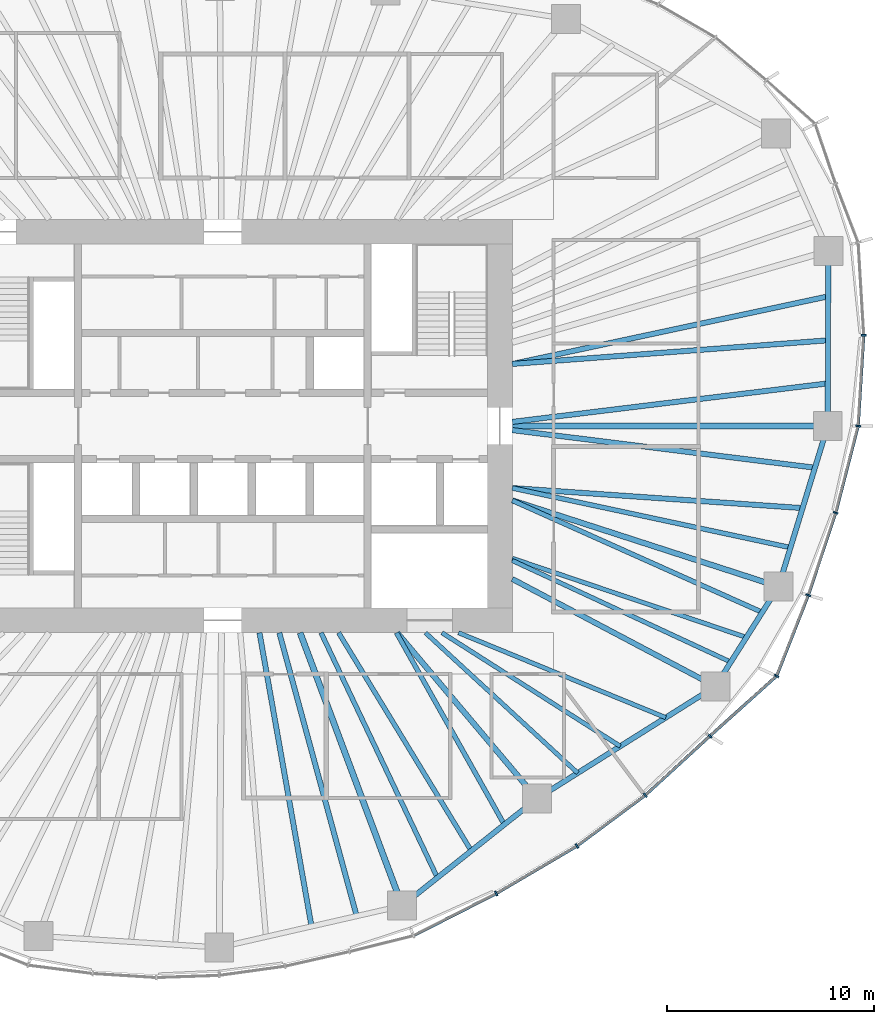
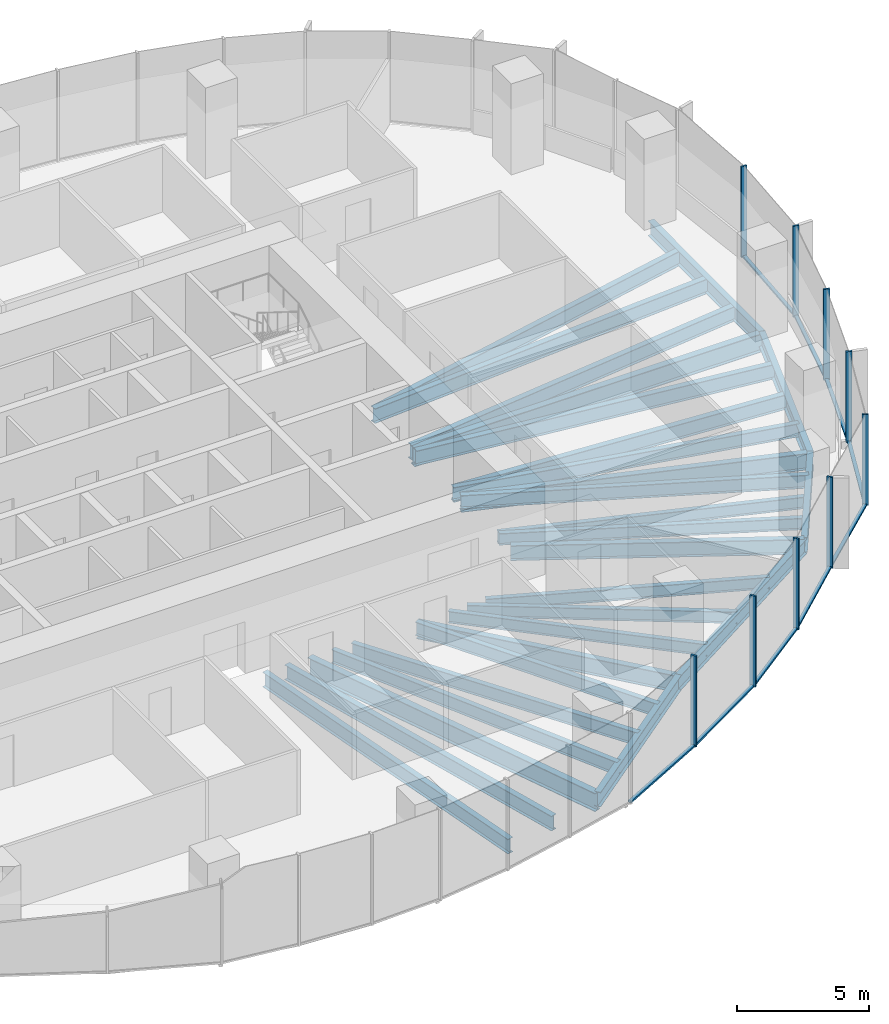
# One storey, part 4 of 18: 27 beams, 18 members, 5 elements without a shape of their own.
"""IFC4 building model written with IfcOpenShell, lengths in metres."""

from ifc_helpers import new_model, si_unit, direction, frame, origin, origin_2d, place, context, subcontext, project, spatial, rectangle, i_section, extrude, material, material_profile, profile_set, type_object, element, aggregate, save


model = new_model("IFC4")

# Units and contexts
model_context = context("Model", 3, precision=1e-05, world=origin(), true_north=direction((0.0, 1.0)))
body_context = subcontext(model_context, "Body", "Model", "MODEL_VIEW")
ifc_project = project(units=[si_unit("LENGTHUNIT", "METRE"), si_unit("AREAUNIT", "SQUARE_METRE"), si_unit("VOLUMEUNIT", "CUBIC_METRE"), si_unit("PLANEANGLEUNIT", "RADIAN"), si_unit("MASSUNIT", "GRAM", prefix="KILO")], contexts=[model_context])

# Site, building, storey
site_placement = place(None, origin())
site = spatial("IfcSite", under=ifc_project, at=site_placement, CompositionType="ELEMENT")
building_placement = place(site_placement, origin())
building = spatial("IfcBuilding", under=site, at=building_placement, Name="Ghaith Harvest Tower", CompositionType="ELEMENT")
storey_placement = place(building_placement, frame((0.0, 0.0, 155.39990234375)))
storey = spatial("IfcBuildingStorey", under=building, at=storey_placement, Name="L33", CompositionType="ELEMENT", Elevation=155.39990234375)

# Curtain wall, members
ifc_material_1 = material(Name="Black anodised aluminium and fritted glass", Category="aluminium")
curtain_wall_type = type_object("IfcCurtainWallType", Name="CW-L CURTAIN WALL", PredefinedType="NOTDEFINED", material=ifc_material_1)
curtain_wall_1_placement = place(storey_placement, origin())
curtain_wall_1 = element("IfcCurtainWall", 1, at=curtain_wall_1_placement, inside=storey, type_object=curtain_wall_type, Name="Curtain wall CW-L bay 01 L33", PredefinedType="NOTDEFINED")
ifc_material_2 = material(Name="Aluminium, black anodised", Category="aluminium")
ifc_material_profile_1 = material_profile(ifc_material_2, rectangle(XDim=0.080078125, YDim=0.239990234375, at=origin_2d()), Name="CW-L MULLION 80x240")
ifc_profile_set_1 = profile_set([ifc_material_profile_1], Name="Aluminium, black anodised")
member_type_1 = type_object("IfcMemberType", Name="CW-L MULLION 80x240", PredefinedType="MULLION", material=ifc_profile_set_1)
member_1_placement = place(storey_placement, frame((30.728759765625, 0.0, 0.0), z_axis=(0.0, 0.0, 1.0), x_axis=(0.155597142981, 0.987820595602, 0.0)))
member_1 = element("IfcMember", 2, at=member_1_placement, type_object=member_type_1, Name="CW-L mullion 1 bay 01 L33", PredefinedType="MULLION", context=body_context, shape_type="SweptSolid", body=[
    extrude(rectangle(XDim=0.080078125, YDim=0.239990234375, at=origin_2d()), origin(), (0.0, 0.0, 1.0), 4.2001953125),
])
member_2_placement = place(storey_placement, frame((30.998779296875, 4.389892578125, 0.0), z_axis=(0.0, 0.0, 1.0), x_axis=(-0.000162467394, 0.999999986802, 0.0)))
member_2 = element("IfcMember", 3, at=member_2_placement, type_object=member_type_1, Name="CW-L mullion 2 bay 01 L33", PredefinedType="MULLION", context=body_context, shape_type="SweptSolid", body=[
    extrude(rectangle(XDim=0.080078125, YDim=0.239990234375, at=origin_2d()), origin(), (0.0, 0.0, 1.0), 4.2001953125),
])

# Curtain wall, member
curtain_wall_2_placement = place(storey_placement, origin())
curtain_wall_2 = element("IfcCurtainWall", 4, at=curtain_wall_2_placement, inside=storey, type_object=curtain_wall_type, Name="Curtain wall CW-L bay 17 L33", PredefinedType="NOTDEFINED")
member_3_placement = place(storey_placement, frame((13.224365234375, -22.614013671875, 0.0), z_axis=(0.0, 0.0, 1.0), x_axis=(0.876898762173, 0.480675109507, 0.0)))
member_3 = element("IfcMember", 5, at=member_3_placement, type_object=member_type_1, Name="CW-L mullion 2 bay 17 L33", PredefinedType="MULLION", context=body_context, shape_type="SweptSolid", body=[
    extrude(rectangle(XDim=0.080078125, YDim=0.239990234375, at=origin_2d()), origin(), (0.0, 0.0, 1.0), 4.2001953125),
])

# Curtain wall, members
curtain_wall_3_placement = place(storey_placement, origin())
curtain_wall_3 = element("IfcCurtainWall", 6, at=curtain_wall_3_placement, inside=storey, type_object=curtain_wall_type, Name="Curtain wall CW-L bay 18 L33", PredefinedType="NOTDEFINED")
member_4_placement = place(storey_placement, frame((17.1318359375, -20.31591796875, 0.0), z_axis=(0.0, 0.0, 1.0), x_axis=(0.834887453241, 0.550420694035, 0.0)))
member_4 = element("IfcMember", 7, at=member_4_placement, type_object=member_type_1, Name="CW-L mullion 1 bay 18 L33", PredefinedType="MULLION", context=body_context, shape_type="SweptSolid", body=[
    extrude(rectangle(XDim=0.080078125, YDim=0.239990234375, at=origin_2d()), origin(), (0.0, 0.0, 1.0), 4.2001953125),
])
member_5_placement = place(storey_placement, frame((20.4296875, -17.86376953125, 0.0), z_axis=(0.0, 0.0, 1.0), x_axis=(0.770306399656, 0.637673937564, 0.0)))
member_5 = element("IfcMember", 8, at=member_5_placement, type_object=member_type_1, Name="CW-L mullion 2 bay 18 L33", PredefinedType="MULLION", context=body_context, shape_type="SweptSolid", body=[
    extrude(rectangle(XDim=0.080078125, YDim=0.239990234375, at=origin_2d()), origin(), (0.0, 0.0, 1.0), 4.2001953125),
])

curtain_wall_4_placement = place(storey_placement, origin())
curtain_wall_4 = element("IfcCurtainWall", 9, at=curtain_wall_4_placement, inside=storey, type_object=curtain_wall_type, Name="Curtain wall CW-L bay 19 L33", PredefinedType="NOTDEFINED")
member_6_placement = place(storey_placement, frame((23.560546875, -14.994140625, 0.0), z_axis=(0.0, 0.0, 1.0), x_axis=(0.740389054945, 0.672178582906, 0.0)))
member_6 = element("IfcMember", 10, at=member_6_placement, type_object=member_type_1, Name="CW-L mullion 1 bay 19 L33", PredefinedType="MULLION", context=body_context, shape_type="SweptSolid", body=[
    extrude(rectangle(XDim=0.080078125, YDim=0.239990234375, at=origin_2d()), origin(), (0.0, 0.0, 1.0), 4.2001953125),
])
member_7_placement = place(storey_placement, frame((26.786376953125, -12.0927734375, 0.0), z_axis=(0.0, 0.0, 1.0), x_axis=(0.572853476908, 0.819657790785, 0.0)))
member_7 = element("IfcMember", 11, at=member_7_placement, type_object=member_type_1, Name="CW-L mullion 2 bay 19 L33", PredefinedType="MULLION", context=body_context, shape_type="SweptSolid", body=[
    extrude(rectangle(XDim=0.080078125, YDim=0.239990234375, at=origin_2d()), origin(), (0.0, 0.0, 1.0), 4.2001953125),
])

curtain_wall_5_placement = place(storey_placement, origin())
curtain_wall_5 = element("IfcCurtainWall", 12, at=curtain_wall_5_placement, inside=storey, type_object=curtain_wall_type, Name="Curtain wall CW-L bay 20 L33", PredefinedType="NOTDEFINED")
member_8_placement = place(storey_placement, frame((28.319580078125, -8.184814453125, 0.0), z_axis=(0.0, 0.0, 1.0), x_axis=(0.34057402484, 0.94021770543, 0.0)))
member_8 = element("IfcMember", 13, at=member_8_placement, type_object=member_type_1, Name="CW-L mullion 1 bay 20 L33", PredefinedType="MULLION", context=body_context, shape_type="SweptSolid", body=[
    extrude(rectangle(XDim=0.080078125, YDim=0.239990234375, at=origin_2d()), origin(), (0.0, 0.0, 1.0), 4.2001953125),
])
member_9_placement = place(storey_placement, frame((29.64599609375, -4.1982421875, 0.0), z_axis=(0.0, 0.0, 1.0), x_axis=(0.282375140161, 0.959304060358, 0.0)))
member_9 = element("IfcMember", 14, at=member_9_placement, type_object=member_type_1, Name="CW-L mullion 2 bay 20 L33", PredefinedType="MULLION", context=body_context, shape_type="SweptSolid", body=[
    extrude(rectangle(XDim=0.080078125, YDim=0.239990234375, at=origin_2d()), origin(), (0.0, 0.0, 1.0), 4.2001953125),
])

# Member
ifc_material_3 = material(Name="Aluminium, black anodised", Category="aluminium")
ifc_material_profile_2 = material_profile(ifc_material_3, rectangle(XDim=0.14990234375, YDim=0.080078125, at=origin_2d()), Name="CW-L TRANSOM 150x80")
ifc_profile_set_2 = profile_set([ifc_material_profile_2], Name="Aluminium, black anodised")
member_type_2 = type_object("IfcMemberType", Name="CW-L TRANSOM 150x80", PredefinedType="USERDEFINED", material=ifc_profile_set_2)
member_10_placement = place(storey_placement, frame((30.731201171875, 0.0400390625, 0.0400390625), z_axis=(0.061403204251, 0.99811304295, 0.0), x_axis=(-0.99811304295, 0.061403204251, 0.0)))
member_10 = element("IfcMember", 15, at=member_10_placement, type_object=member_type_2, Name="CW-L transom 1 bay 01 L33", ObjectType="TRANSOM", PredefinedType="USERDEFINED", context=body_context, shape_type="SweptSolid", body=[
    extrude(rectangle(XDim=0.14990234375, YDim=0.080078125, at=origin_2d()), origin(), (0.0, 0.0, 1.0), 4.31787109375),
])

aggregate(curtain_wall_1, [member_1, member_10, member_2])

member_11_placement = place(storey_placement, frame((9.25244140625, -24.636474609375, 0.0400390625), z_axis=(0.891120044719, 0.453767634258, 0.0), x_axis=(-0.453767634258, 0.891120044719, 0.0)))
member_11 = element("IfcMember", 16, at=member_11_placement, type_object=member_type_2, Name="CW-L transom 1 bay 17 L33", ObjectType="TRANSOM", PredefinedType="USERDEFINED", context=body_context, shape_type="SweptSolid", body=[
    extrude(rectangle(XDim=0.14990234375, YDim=0.080078125, at=origin_2d()), origin(), (0.0, 0.0, 1.0), 4.417236328125),
])

member_12_placement = place(storey_placement, frame((13.259033203125, -22.59375, 0.0400390625), z_axis=(0.86196381091, 0.506969810424, 0.0), x_axis=(-0.506969810424, 0.86196381091, 0.0)))
member_12 = element("IfcMember", 17, at=member_12_placement, type_object=member_type_2, Name="CW-L transom 2 bay 17 L33", ObjectType="TRANSOM", PredefinedType="USERDEFINED", context=body_context, shape_type="SweptSolid", body=[
    extrude(rectangle(XDim=0.14990234375, YDim=0.080078125, at=origin_2d()), origin(), (0.0, 0.0, 1.0), 4.453125),
])

aggregate(curtain_wall_2, [member_11, member_3, member_12])

member_13_placement = place(storey_placement, frame((17.1640625, -20.2919921875, 0.0400390625), z_axis=(0.802465316609, 0.59669876457, 0.0), x_axis=(-0.59669876457, 0.802465316609, 0.0)))
member_13 = element("IfcMember", 18, at=member_13_placement, type_object=member_type_2, Name="CW-L transom 1 bay 18 L33", ObjectType="TRANSOM", PredefinedType="USERDEFINED", context=body_context, shape_type="SweptSolid", body=[
    extrude(rectangle(XDim=0.14990234375, YDim=0.080078125, at=origin_2d()), origin(), (0.0, 0.0, 1.0), 4.029296875),
])

member_14_placement = place(storey_placement, frame((20.459228515625, -17.836669921875, 0.0400390625), z_axis=(0.737197916434, 0.675676869521, 0.0), x_axis=(-0.675676869521, 0.737197916434, 0.0)))
member_14 = element("IfcMember", 19, at=member_14_placement, type_object=member_type_2, Name="CW-L transom 2 bay 18 L33", ObjectType="TRANSOM", PredefinedType="USERDEFINED", context=body_context, shape_type="SweptSolid", body=[
    extrude(rectangle(XDim=0.14990234375, YDim=0.080078125, at=origin_2d()), origin(), (0.0, 0.0, 1.0), 4.166748046875),
])

aggregate(curtain_wall_3, [member_4, member_13, member_5, member_14])

member_15_placement = place(storey_placement, frame((23.59033203125, -14.967529296875, 0.0400390625), z_axis=(0.74346800111, 0.668771509056, 0.0), x_axis=(-0.668771509056, 0.74346800111, 0.0)))
member_15 = element("IfcMember", 20, at=member_15_placement, type_object=member_type_2, Name="CW-L transom 1 bay 19 L33", ObjectType="TRANSOM", PredefinedType="USERDEFINED", context=body_context, shape_type="SweptSolid", body=[
    extrude(rectangle(XDim=0.14990234375, YDim=0.080078125, at=origin_2d()), origin(), (0.0, 0.0, 1.0), 4.2587890625),
])

member_16_placement = place(storey_placement, frame((26.801025390625, -12.055419921875, 0.0400390625), z_axis=(0.365228588652, 0.930917868575, 0.0), x_axis=(-0.930917868575, 0.365228588652, 0.0)))
member_16 = element("IfcMember", 21, at=member_16_placement, type_object=member_type_2, Name="CW-L transom 2 bay 19 L33", ObjectType="TRANSOM", PredefinedType="USERDEFINED", context=body_context, shape_type="SweptSolid", body=[
    extrude(rectangle(XDim=0.14990234375, YDim=0.080078125, at=origin_2d()), origin(), (0.0, 0.0, 1.0), 4.11767578125),
])

aggregate(curtain_wall_4, [member_6, member_15, member_7, member_16])

member_17_placement = place(storey_placement, frame((28.33203125, -8.14697265625, 0.0400390625), z_axis=(0.315712391444, 0.948854934059, 0.0), x_axis=(-0.948854934059, 0.315712391444, 0.0)))
member_17 = element("IfcMember", 22, at=member_17_placement, type_object=member_type_2, Name="CW-L transom 1 bay 20 L33", ObjectType="TRANSOM", PredefinedType="USERDEFINED", context=body_context, shape_type="SweptSolid", body=[
    extrude(rectangle(XDim=0.14990234375, YDim=0.080078125, at=origin_2d()), origin(), (0.0, 0.0, 1.0), 4.12158203125),
])

member_18_placement = place(storey_placement, frame((29.656005859375, -4.159423828125, 0.0400390625), z_axis=(0.249737470584, 0.968313583395, 0.0), x_axis=(-0.968313583395, 0.249737470584, 0.0)))
member_18 = element("IfcMember", 23, at=member_18_placement, type_object=member_type_2, Name="CW-L transom 2 bay 20 L33", ObjectType="TRANSOM", PredefinedType="USERDEFINED", context=body_context, shape_type="SweptSolid", body=[
    extrude(rectangle(XDim=0.14990234375, YDim=0.080078125, at=origin_2d()), origin(), (0.0, 0.0, 1.0), 4.25537109375),
])

aggregate(curtain_wall_5, [member_8, member_17, member_9, member_18])

# Beams
ifc_material_4 = material(Name="Steel ASTM A992 Grade 50", Category="steel")
ifc_material_profile_3 = material_profile(ifc_material_4, i_section(OverallWidth=0.25390625, OverallDepth=0.68408203125, WebThickness=0.012451171875, FlangeThickness=0.018798828125, at=origin_2d()), Name="W690X140")
ifc_profile_set_3 = profile_set([ifc_material_profile_3], Name="Steel ASTM A992 Grade 50")
beam_type_1 = type_object("IfcBeamType", Name="E690-140 W690X140", PredefinedType="SPANDREL", material=ifc_profile_set_3)
beam_1_placement = place(storey_placement, frame((29.259033203125, 0.0, -0.511962890625), z_axis=(0.003172847394, 0.999994966507, 0.0), x_axis=(-0.999994966507, 0.003172847394, 0.0)))
element("IfcBeam", 24, at=beam_1_placement, inside=storey, type_object=beam_type_1, Name="Edge beam E01 L33", PredefinedType="SPANDREL", context=body_context, shape_type="SweptSolid", body=[
    extrude(i_section(OverallWidth=0.25390625, OverallDepth=0.68408203125, WebThickness=0.012451171875, FlangeThickness=0.018798828125, at=origin_2d()), origin(), (0.0, 0.0, 1.0), 8.464111328125),
])
beam_2_placement = place(storey_placement, frame((8.674072265625, -23.202880859375, -0.511962890625), z_axis=(0.783159540917, 0.621820821033, 0.0), x_axis=(-0.621820821033, 0.783159540917, 0.0)))
element("IfcBeam", 25, at=beam_2_placement, inside=storey, type_object=beam_type_1, Name="Edge beam E17 L33", PredefinedType="SPANDREL", context=body_context, shape_type="SweptSolid", body=[
    extrude(i_section(OverallWidth=0.25390625, OverallDepth=0.68408203125, WebThickness=0.012451171875, FlangeThickness=0.018798828125, at=origin_2d()), origin(), (0.0, 0.0, 1.0), 8.330322265625),
])
beam_3_placement = place(storey_placement, frame((15.197998046875, -18.02294921875, -0.511962890625), z_axis=(0.846385185363, 0.532571232793, 0.0), x_axis=(-0.532571232793, 0.846385185363, 0.0)))
element("IfcBeam", 26, at=beam_3_placement, inside=storey, type_object=beam_type_1, Name="Edge beam E18 L33", PredefinedType="SPANDREL", context=body_context, shape_type="SweptSolid", body=[
    extrude(i_section(OverallWidth=0.25390625, OverallDepth=0.68408203125, WebThickness=0.012451171875, FlangeThickness=0.018798828125, at=origin_2d()), origin(), (0.0, 0.0, 1.0), 10.19384765625),
])
beam_4_placement = place(storey_placement, frame((23.825927734375, -12.593994140625, -0.511962890625), z_axis=(0.534499624093, 0.845168712059, 0.0), x_axis=(-0.845168712059, 0.534499624093, 0.0)))
element("IfcBeam", 27, at=beam_4_placement, inside=storey, type_object=beam_type_1, Name="Edge beam E19 L33", PredefinedType="SPANDREL", context=body_context, shape_type="SweptSolid", body=[
    extrude(i_section(OverallWidth=0.25390625, OverallDepth=0.68408203125, WebThickness=0.012451171875, FlangeThickness=0.018798828125, at=origin_2d()), origin(), (0.0, 0.0, 1.0), 5.7099609375),
])
beam_5_placement = place(storey_placement, frame((26.8779296875, -7.76806640625, -0.511962890625), z_axis=(0.293065809375, 0.956092271371, 0.0), x_axis=(-0.956092271371, 0.293065809375, 0.0)))
element("IfcBeam", 28, at=beam_5_placement, inside=storey, type_object=beam_type_1, Name="Edge beam E20 L33", PredefinedType="SPANDREL", context=body_context, shape_type="SweptSolid", body=[
    extrude(i_section(OverallWidth=0.25390625, OverallDepth=0.68408203125, WebThickness=0.012451171875, FlangeThickness=0.018798828125, at=origin_2d()), origin(), (0.0, 0.0, 1.0), 8.124755859375),
])
ifc_material_5 = material(Name="Steel ASTM A992 Grade 50", Category="steel")
ifc_material_profile_4 = material_profile(ifc_material_5, i_section(OverallWidth=0.256103515625, OverallDepth=0.693115234375, WebThickness=0.014404296875, FlangeThickness=0.023681640625, at=origin_2d()), Name="W690X170")
ifc_profile_set_4 = profile_set([ifc_material_profile_4], Name="Steel ASTM A992 Grade 50")
beam_type_2 = type_object("IfcBeamType", Name="G690-170 W690X170", PredefinedType="BEAM", material=ifc_profile_set_4)
beam_6_placement = place(storey_placement, frame((14.0, -7.39990234375, -0.516357421875), z_axis=(0.884080549082, -0.467334551189, 0.0), x_axis=(0.467334551189, 0.884080549082, 0.0)))
element("IfcBeam", 29, at=beam_6_placement, inside=storey, type_object=beam_type_2, Name="Radial girder G19 L33", PredefinedType="BEAM", context=body_context, shape_type="SweptSolid", body=[
    extrude(i_section(OverallWidth=0.256103515625, OverallDepth=0.693115234375, WebThickness=0.014404296875, FlangeThickness=0.023681640625, at=origin_2d()), origin(), (0.0, 0.0, 1.0), 11.1142578125),
])
ifc_material_6 = material(Name="Steel ASTM A992 Grade 50", Category="steel")
ifc_material_profile_5 = material_profile(ifc_material_6, i_section(OverallWidth=0.26806640625, OverallDepth=0.77001953125, WebThickness=0.015625, FlangeThickness=0.025390625, at=origin_2d()), Name="W760X196")
ifc_profile_set_5 = profile_set([ifc_material_profile_5], Name="Steel ASTM A992 Grade 50")
beam_type_3 = type_object("IfcBeamType", Name="G760-196 W760X196", PredefinedType="BEAM", material=ifc_profile_set_5)
beam_7_placement = place(storey_placement, frame((8.4326171875, -10.0, -0.554931640625), z_axis=(0.644649240595, -0.764478486682, 0.0), x_axis=(0.764478486682, 0.644649240595, 0.0)))
element("IfcBeam", 30, at=beam_7_placement, inside=storey, type_object=beam_type_3, Name="Radial girder G18 L33", PredefinedType="BEAM", context=body_context, shape_type="SweptSolid", body=[
    extrude(i_section(OverallWidth=0.26806640625, OverallDepth=0.77001953125, WebThickness=0.015625, FlangeThickness=0.025390625, at=origin_2d()), origin(), (0.0, 0.0, 1.0), 10.49462890625),
])
beam_8_placement = place(storey_placement, frame((14.0, -3.60009765625, -0.554931640625), z_axis=(0.951410331565, -0.307925934262, 0.0), x_axis=(0.307925934262, 0.951410331565, 0.0)))
element("IfcBeam", 31, at=beam_8_placement, inside=storey, type_object=beam_type_3, Name="Radial girder G20 L33", PredefinedType="BEAM", context=body_context, shape_type="SweptSolid", body=[
    extrude(i_section(OverallWidth=0.26806640625, OverallDepth=0.77001953125, WebThickness=0.015625, FlangeThickness=0.025390625, at=origin_2d()), origin(), (0.0, 0.0, 1.0), 13.53564453125),
])
ifc_material_7 = material(Name="Steel ASTM A992 Grade 50", Category="steel")
ifc_material_profile_6 = material_profile(ifc_material_7, i_section(OverallWidth=0.2939453125, OverallDepth=0.85107421875, WebThickness=0.01611328125, FlangeThickness=0.02685546875, at=origin_2d()), Name="W840X226")
ifc_profile_set_6 = profile_set([ifc_material_profile_6], Name="Steel ASTM A992 Grade 50")
beam_type_4 = type_object("IfcBeamType", Name="G840-226 W840X226", PredefinedType="BEAM", material=ifc_profile_set_6)
beam_9_placement = place(storey_placement, frame((14.0, 0.0, -0.595458984375), z_axis=(1.0, 0.0, 0.0), x_axis=(0.0, 1.0, 0.0)))
element("IfcBeam", 32, at=beam_9_placement, inside=storey, type_object=beam_type_4, Name="Radial girder G01 L33", PredefinedType="BEAM", context=body_context, shape_type="SweptSolid", body=[
    extrude(i_section(OverallWidth=0.2939453125, OverallDepth=0.85107421875, WebThickness=0.01611328125, FlangeThickness=0.02685546875, at=origin_2d()), origin(), (0.0, 0.0, 1.0), 15.259033203125),
])
beam_10_placement = place(storey_placement, frame((3.73828125, -10.0, -0.595458984375), z_axis=(0.350172283717, -0.936685310932, 0.0), x_axis=(0.936685310932, 0.350172283717, 0.0)))
element("IfcBeam", 33, at=beam_10_placement, inside=storey, type_object=beam_type_4, Name="Radial girder G17 L33", PredefinedType="BEAM", context=body_context, shape_type="SweptSolid", body=[
    extrude(i_section(OverallWidth=0.2939453125, OverallDepth=0.85107421875, WebThickness=0.01611328125, FlangeThickness=0.02685546875, at=origin_2d()), origin(), (0.0, 0.0, 1.0), 14.09521484375),
])
ifc_material_8 = material(Name="Steel ASTM A992 Grade 50", Category="steel")
ifc_material_profile_7 = material_profile(ifc_material_8, i_section(OverallWidth=0.2109375, OverallDepth=0.5390625, WebThickness=0.01171875, FlangeThickness=0.018798828125, at=origin_2d()), Name="W530X109")
ifc_profile_set_7 = profile_set([ifc_material_profile_7], Name="Steel ASTM A992 Grade 50")
beam_type_5 = type_object("IfcBeamType", Name="J530-109 W530X109", PredefinedType="JOIST", material=ifc_profile_set_7)
beam_11_placement = place(storey_placement, frame((9.800048828125, -10.0, -0.439453125), z_axis=(0.735441512033, -0.677588210035, 0.0), x_axis=(0.677588210035, 0.735441512033, 0.0)))
element("IfcBeam", 34, at=beam_11_placement, inside=storey, type_object=beam_type_5, Name="Joist J18.1 L33", PredefinedType="JOIST", context=body_context, shape_type="SweptSolid", body=[
    extrude(i_section(OverallWidth=0.2109375, OverallDepth=0.5390625, WebThickness=0.01171875, FlangeThickness=0.018798828125, at=origin_2d()), origin(), (0.0, 0.0, 1.0), 10.01416015625),
])
beam_12_placement = place(storey_placement, frame((10.60009765625, -10.0, -0.439453125), z_axis=(0.843584777848, -0.536996017288, 0.0), x_axis=(0.536996017288, 0.843584777848, 0.0)))
element("IfcBeam", 35, at=beam_12_placement, inside=storey, type_object=beam_type_5, Name="Joist J18.2 L33", PredefinedType="JOIST", context=body_context, shape_type="SweptSolid", body=[
    extrude(i_section(OverallWidth=0.2109375, OverallDepth=0.5390625, WebThickness=0.01171875, FlangeThickness=0.018798828125, at=origin_2d()), origin(), (0.0, 0.0, 1.0), 10.22314453125),
])
beam_13_placement = place(storey_placement, frame((11.39990234375, -10.0, -0.439453125), z_axis=(0.925406878607, -0.378975077053, 0.0), x_axis=(0.378975077053, 0.925406878607, 0.0)))
element("IfcBeam", 36, at=beam_13_placement, inside=storey, type_object=beam_type_5, Name="Joist J18.3 L33", PredefinedType="JOIST", context=body_context, shape_type="SweptSolid", body=[
    extrude(i_section(OverallWidth=0.2109375, OverallDepth=0.5390625, WebThickness=0.01171875, FlangeThickness=0.018798828125, at=origin_2d()), origin(), (0.0, 0.0, 1.0), 10.83251953125),
])
beam_14_placement = place(storey_placement, frame((14.0, -6.506103515625, -0.439453125), z_axis=(0.906863188232, -0.421425150922, 0.0), x_axis=(0.421425150922, 0.906863188232, 0.0)))
element("IfcBeam", 37, at=beam_14_placement, inside=storey, type_object=beam_type_5, Name="Joist J19.1 L33", PredefinedType="JOIST", context=body_context, shape_type="SweptSolid", body=[
    extrude(i_section(OverallWidth=0.2109375, OverallDepth=0.5390625, WebThickness=0.01171875, FlangeThickness=0.018798828125, at=origin_2d()), origin(), (0.0, 0.0, 1.0), 11.6552734375),
])
beam_15_placement = place(storey_placement, frame((14.0, -6.39990234375, -0.439453125), z_axis=(0.947372072272, -0.320134591508, 0.0), x_axis=(0.320134591508, 0.947372072272, 0.0)))
element("IfcBeam", 38, at=beam_15_placement, inside=storey, type_object=beam_type_5, Name="Joist J19.2 L33", PredefinedType="JOIST", context=body_context, shape_type="SweptSolid", body=[
    extrude(i_section(OverallWidth=0.2109375, OverallDepth=0.5390625, WebThickness=0.01171875, FlangeThickness=0.018798828125, at=origin_2d()), origin(), (0.0, 0.0, 1.0), 11.95263671875),
])
ifc_material_9 = material(Name="Steel ASTM A992 Grade 50", Category="steel")
ifc_material_profile_8 = material_profile(ifc_material_9, i_section(OverallWidth=0.22900390625, OverallDepth=0.612060546875, WebThickness=0.011962890625, FlangeThickness=0.01953125, at=origin_2d()), Name="W610X125")
ifc_profile_set_8 = profile_set([ifc_material_profile_8], Name="Steel ASTM A992 Grade 50")
beam_type_6 = type_object("IfcBeamType", Name="J610-125 W610X125", PredefinedType="JOIST", material=ifc_profile_set_8)
beam_16_placement = place(storey_placement, frame((4.75, -10.0, -0.475830078125), z_axis=(0.429062888327, -0.903274619294, 0.0), x_axis=(0.903274619294, 0.429062888327, 0.0)))
element("IfcBeam", 39, at=beam_16_placement, inside=storey, type_object=beam_type_6, Name="Joist J17.1 L33", PredefinedType="JOIST", context=body_context, shape_type="SweptSolid", body=[
    extrude(i_section(OverallWidth=0.22900390625, OverallDepth=0.612060546875, WebThickness=0.011962890625, FlangeThickness=0.01953125, at=origin_2d()), origin(), (0.0, 0.0, 1.0), 13.118408203125),
])
beam_17_placement = place(storey_placement, frame((5.60009765625, -10.0, -0.475830078125), z_axis=(0.51969412955, -0.854352393167, 0.0), x_axis=(0.854352393167, 0.51969412955, 0.0)))
element("IfcBeam", 40, at=beam_17_placement, inside=storey, type_object=beam_type_6, Name="Joist J17.2 L33", PredefinedType="JOIST", context=body_context, shape_type="SweptSolid", body=[
    extrude(i_section(OverallWidth=0.22900390625, OverallDepth=0.612060546875, WebThickness=0.011962890625, FlangeThickness=0.01953125, at=origin_2d()), origin(), (0.0, 0.0, 1.0), 12.34716796875),
])
beam_18_placement = place(storey_placement, frame((8.39990234375, -10.0, -0.475830078125), z_axis=(0.489936713337, -0.871758003648, 0.0), x_axis=(0.871758003648, 0.489936713337, 0.0)))
element("IfcBeam", 41, at=beam_18_placement, inside=storey, type_object=beam_type_6, Name="Joist J17.3 L33", PredefinedType="JOIST", context=body_context, shape_type="SweptSolid", body=[
    extrude(i_section(OverallWidth=0.22900390625, OverallDepth=0.612060546875, WebThickness=0.011962890625, FlangeThickness=0.01953125, at=origin_2d()), origin(), (0.0, 0.0, 1.0), 10.64501953125),
])
beam_19_placement = place(storey_placement, frame((14.0, -3.60009765625, -0.475830078125), z_axis=(0.912738327266, -0.408544668231, 0.0), x_axis=(0.408544668231, 0.912738327266, 0.0)))
element("IfcBeam", 42, at=beam_19_placement, inside=storey, type_object=beam_type_6, Name="Joist J19.3 L33", PredefinedType="JOIST", context=body_context, shape_type="SweptSolid", body=[
    extrude(i_section(OverallWidth=0.22900390625, OverallDepth=0.612060546875, WebThickness=0.011962890625, FlangeThickness=0.01953125, at=origin_2d()), origin(), (0.0, 0.0, 1.0), 13.247314453125),
])
beam_20_placement = place(storey_placement, frame((14.0, -3.0, -0.475830078125), z_axis=(0.97783433664, -0.209380061343, 0.0), x_axis=(0.209380061343, 0.97783433664, 0.0)))
element("IfcBeam", 43, at=beam_20_placement, inside=storey, type_object=beam_type_6, Name="Joist J20.1 L33", PredefinedType="JOIST", context=body_context, shape_type="SweptSolid", body=[
    extrude(i_section(OverallWidth=0.22900390625, OverallDepth=0.612060546875, WebThickness=0.011962890625, FlangeThickness=0.01953125, at=origin_2d()), origin(), (0.0, 0.0, 1.0), 13.76123046875),
])
ifc_material_10 = material(Name="Steel ASTM A992 Grade 50", Category="steel")
ifc_material_profile_9 = material_profile(ifc_material_10, i_section(OverallWidth=0.25390625, OverallDepth=0.68408203125, WebThickness=0.012451171875, FlangeThickness=0.018798828125, at=origin_2d()), Name="W690X140")
ifc_profile_set_9 = profile_set([ifc_material_profile_9], Name="Steel ASTM A992 Grade 50")
beam_type_7 = type_object("IfcBeamType", Name="J690-140 W690X140", PredefinedType="JOIST", material=ifc_profile_set_9)
beam_21_placement = place(storey_placement, frame((14.0, 0.199951171875, -0.511962890625), z_axis=(0.992642759881, 0.121079937462, 0.0), x_axis=(-0.121079937462, 0.992642759881, 0.0)))
element("IfcBeam", 44, at=beam_21_placement, inside=storey, type_object=beam_type_7, Name="Joist J01.1 L33", PredefinedType="JOIST", context=body_context, shape_type="SweptSolid", body=[
    extrude(i_section(OverallWidth=0.25390625, OverallDepth=0.68408203125, WebThickness=0.012451171875, FlangeThickness=0.018798828125, at=origin_2d()), origin(), (0.0, 0.0, 1.0), 15.378662109375),
])
beam_22_placement = place(storey_placement, frame((14.0, 3.0, -0.511962890625), z_axis=(0.997200052902, 0.074780040735, 0.0), x_axis=(-0.074780040735, 0.997200052902, 0.0)))
element("IfcBeam", 45, at=beam_22_placement, inside=storey, type_object=beam_type_7, Name="Joist J01.2 L33", PredefinedType="JOIST", context=body_context, shape_type="SweptSolid", body=[
    extrude(i_section(OverallWidth=0.25390625, OverallDepth=0.68408203125, WebThickness=0.012451171875, FlangeThickness=0.018798828125, at=origin_2d()), origin(), (0.0, 0.0, 1.0), 15.315185546875),
])
beam_23_placement = place(storey_placement, frame((14.0, 3.0, -0.511962890625), z_axis=(0.977833271545, 0.209385035425, 0.0), x_axis=(-0.209385035425, 0.977833271545, 0.0)))
element("IfcBeam", 46, at=beam_23_placement, inside=storey, type_object=beam_type_7, Name="Joist J01.3 L33", PredefinedType="JOIST", context=body_context, shape_type="SweptSolid", body=[
    extrude(i_section(OverallWidth=0.25390625, OverallDepth=0.68408203125, WebThickness=0.012451171875, FlangeThickness=0.018798828125, at=origin_2d()), origin(), (0.0, 0.0, 1.0), 15.62548828125),
])
beam_24_placement = place(storey_placement, frame((1.772705078125, -10.0, -0.511962890625), z_axis=(0.174552818486, -0.98464781194, 0.0), x_axis=(0.98464781194, 0.174552818486, 0.0)))
element("IfcBeam", 47, at=beam_24_placement, inside=storey, type_object=beam_type_7, Name="Joist J16.2 L33", PredefinedType="JOIST", context=body_context, shape_type="SweptSolid", body=[
    extrude(i_section(OverallWidth=0.25390625, OverallDepth=0.68408203125, WebThickness=0.012451171875, FlangeThickness=0.018798828125, at=origin_2d()), origin(), (0.0, 0.0, 1.0), 14.42578125),
])
beam_25_placement = place(storey_placement, frame((2.73095703125, -10.0, -0.511962890625), z_axis=(0.263463446032, -0.964669379946, 0.0), x_axis=(0.964669379946, 0.263463446032, 0.0)))
element("IfcBeam", 48, at=beam_25_placement, inside=storey, type_object=beam_type_7, Name="Joist J16.3 L33", PredefinedType="JOIST", context=body_context, shape_type="SweptSolid", body=[
    extrude(i_section(OverallWidth=0.25390625, OverallDepth=0.68408203125, WebThickness=0.012451171875, FlangeThickness=0.018798828125, at=origin_2d()), origin(), (0.0, 0.0, 1.0), 14.20751953125),
])
beam_26_placement = place(storey_placement, frame((14.0, -3.0, -0.511962890625), z_axis=(0.997616678907, -0.068999724397, 0.0), x_axis=(0.068999724397, 0.997616678907, 0.0)))
element("IfcBeam", 49, at=beam_26_placement, inside=storey, type_object=beam_type_7, Name="Joist J20.2 L33", PredefinedType="JOIST", context=body_context, shape_type="SweptSolid", body=[
    extrude(i_section(OverallWidth=0.25390625, OverallDepth=0.68408203125, WebThickness=0.012451171875, FlangeThickness=0.018798828125, at=origin_2d()), origin(), (0.0, 0.0, 1.0), 14.0751953125),
])
beam_27_placement = place(storey_placement, frame((14.0, -0.199951171875, -0.511962890625), z_axis=(0.992379127816, -0.123222021874, 0.0), x_axis=(0.123222021874, 0.992379127816, 0.0)))
element("IfcBeam", 50, at=beam_27_placement, inside=storey, type_object=beam_type_7, Name="Joist J20.3 L33", PredefinedType="JOIST", context=body_context, shape_type="SweptSolid", body=[
    extrude(i_section(OverallWidth=0.25390625, OverallDepth=0.68408203125, WebThickness=0.012451171875, FlangeThickness=0.018798828125, at=origin_2d()), origin(), (0.0, 0.0, 1.0), 14.7529296875),
])

save(model, "model.ifc")
